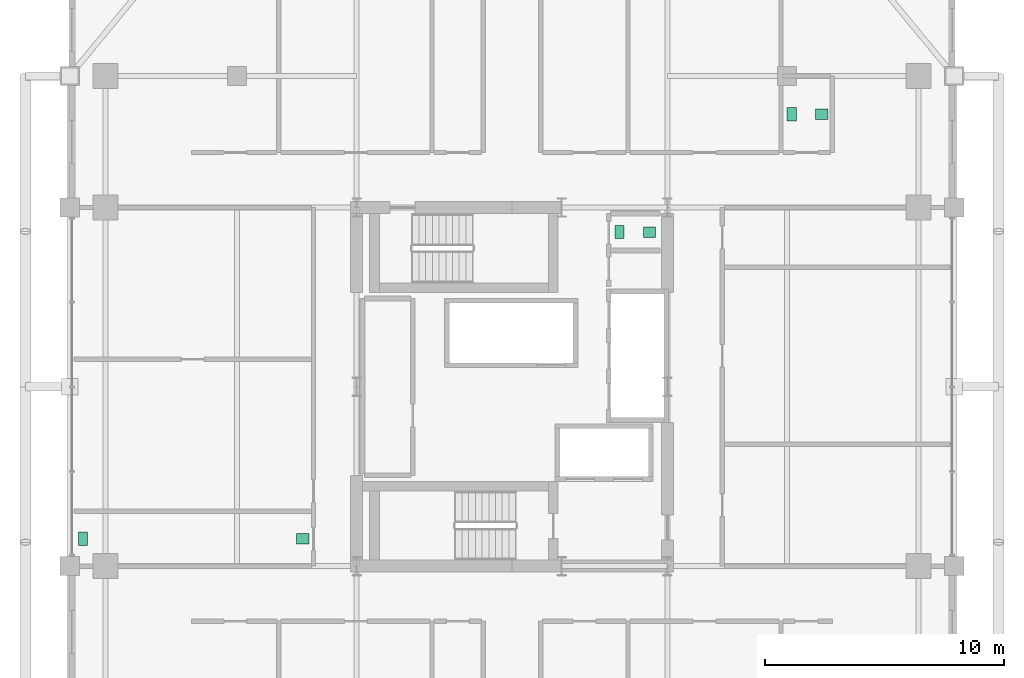
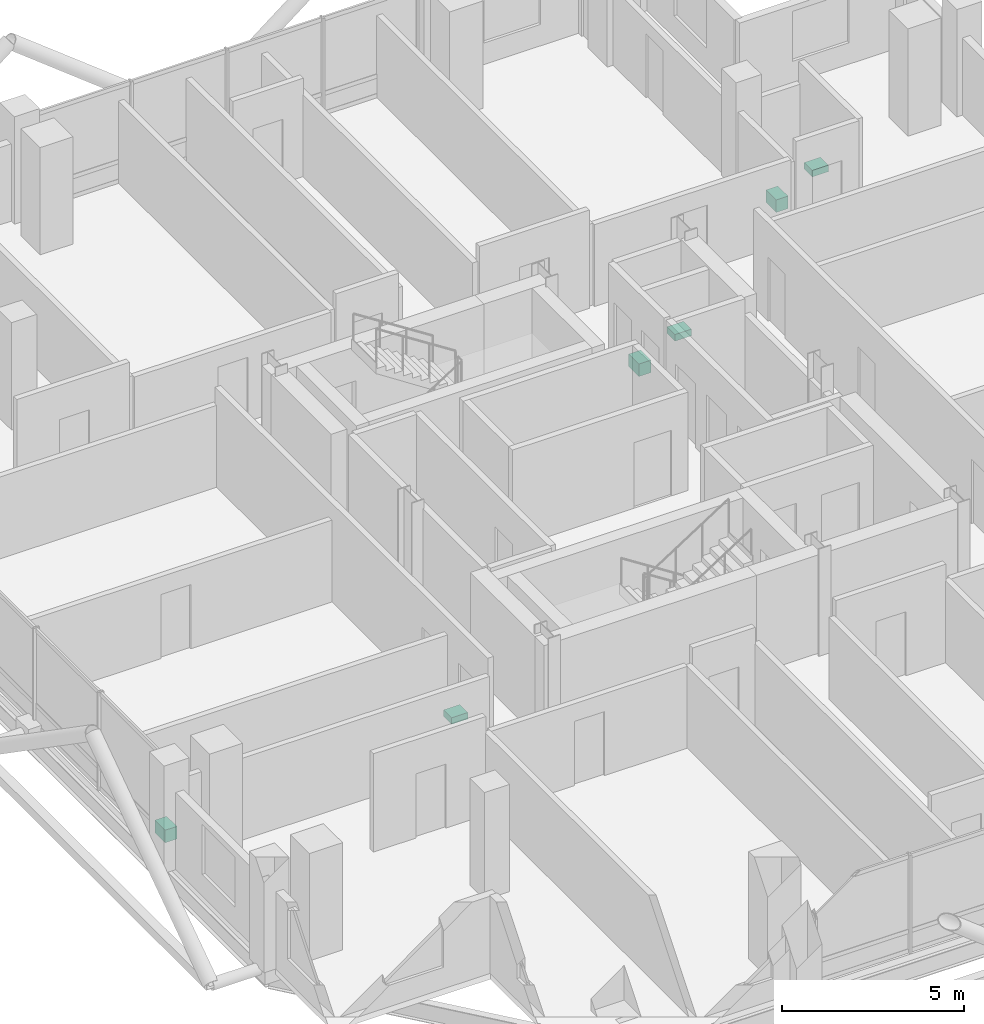
# One storey, part 25 of 25: 6 sanitary terminals.
"""IFC4 building model written with IfcOpenShell, lengths in metres."""

from ifc_helpers import new_model, si_unit, direction, frame, origin, origin_2d, place, context, subcontext, project, spatial, rectangle, extrude, material, type_object, element, save


model = new_model("IFC4")

# Units and contexts
model_context = context("Model", 3, precision=1e-05, world=origin(), true_north=direction((0.0, 1.0)))
body_context = subcontext(model_context, "Body", "Model", "MODEL_VIEW")
ifc_project = project(units=[si_unit("LENGTHUNIT", "METRE"), si_unit("AREAUNIT", "SQUARE_METRE"), si_unit("VOLUMEUNIT", "CUBIC_METRE"), si_unit("PLANEANGLEUNIT", "RADIAN"), si_unit("MASSUNIT", "GRAM", prefix="KILO")], contexts=[model_context])

# Site, building, storey
site_placement = place(None, origin())
site = spatial("IfcSite", under=ifc_project, at=site_placement, CompositionType="ELEMENT")
building_placement = place(site_placement, origin())
building = spatial("IfcBuilding", under=site, at=building_placement, Name="Barlavira Tower and Art Museum", CompositionType="ELEMENT")
storey_placement = place(building_placement, frame((0.0, 0.0, 208.800048828125)))
storey = spatial("IfcBuildingStorey", under=building, at=storey_placement, Name="L54", CompositionType="ELEMENT", Elevation=208.800048828125)

# Sanitary terminals
ifc_material = material(Name="Vitreous glazed ceramic", Category="ceramic")
sanitary_terminal_type_1 = type_object("IfcSanitaryTerminalType", Name="Countertop Ceramic Wash Hand Basin", PredefinedType="WASHHANDBASIN", material=ifc_material)
for number, where, z_axis, x_axis, name in (
    (1, (5.75, 6.47509765625, 0.73974609375), (0.0, 0.0, 1.0), (1.0, 0.0, 0.0), "L54-C-WC1 Wash Basin"),
    (2, (12.949951171875, 11.39990234375, 0.73974609375), (0.0, 0.0, 1.0), (1.0, 0.0, 0.0), "L54-NE-SWC Wash Basin"),
    (3, (-8.75, -6.360107421875, 0.73974609375), (0.0, 0.0, 1.0), (1.0, 0.0, 0.0), "L54-W-SWC Wash Basin"),
):
    element("IfcSanitaryTerminal", number, at=place(storey_placement, frame(where, z_axis=z_axis, x_axis=x_axis)), inside=storey, type_object=sanitary_terminal_type_1, Name=name, PredefinedType="WASHHANDBASIN", context=body_context, shape_type="SweptSolid", body=[
        extrude(rectangle(XDim=0.52001953125, YDim=0.43994140625, at=origin_2d()), origin(), (0.0, 0.0, 1.0), 0.219970703125),
    ])
sanitary_terminal_type_2 = type_object("IfcSanitaryTerminalType", Name="Wall-Hung Dual-Flush Vitreous WC Pan", PredefinedType="TOILETPAN", material=ifc_material)
for number, where, z_axis, x_axis, name in (
    (4, (4.5, 6.47509765625, 0.0), (0.0, 0.0, 1.0), (1.0, 0.0, 0.0), "L54-C-WC1 WC Pan"),
    (5, (11.699951171875, 11.39990234375, 0.0), (0.0, 0.0, 1.0), (1.0, 0.0, 0.0), "L54-NE-SWC WC Pan"),
    (6, (-17.949951171875, -6.360107421875, 0.0), (0.0, 0.0, 1.0), (1.0, 0.0, 0.0), "L54-W-SWC WC Pan"),
):
    element("IfcSanitaryTerminal", number, at=place(storey_placement, frame(where, z_axis=z_axis, x_axis=x_axis)), inside=storey, type_object=sanitary_terminal_type_2, Name=name, PredefinedType="TOILETPAN", context=body_context, shape_type="SweptSolid", body=[
        extrude(rectangle(XDim=0.3798828125, YDim=0.56005859375, at=origin_2d()), origin(), (0.0, 0.0, 1.0), 0.419921875),
    ])

save(model, "model.ifc")
